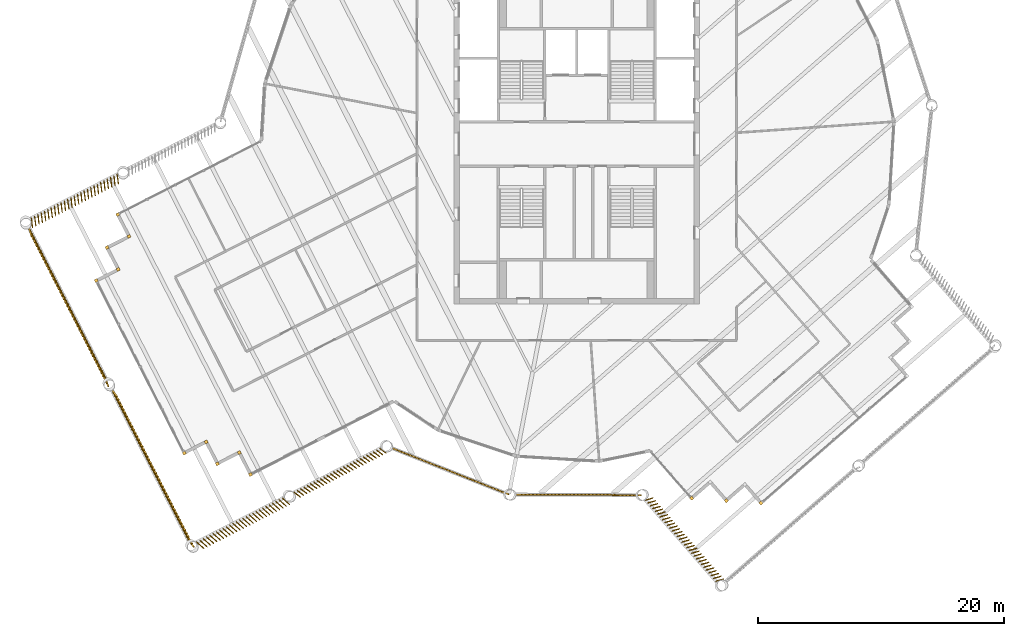
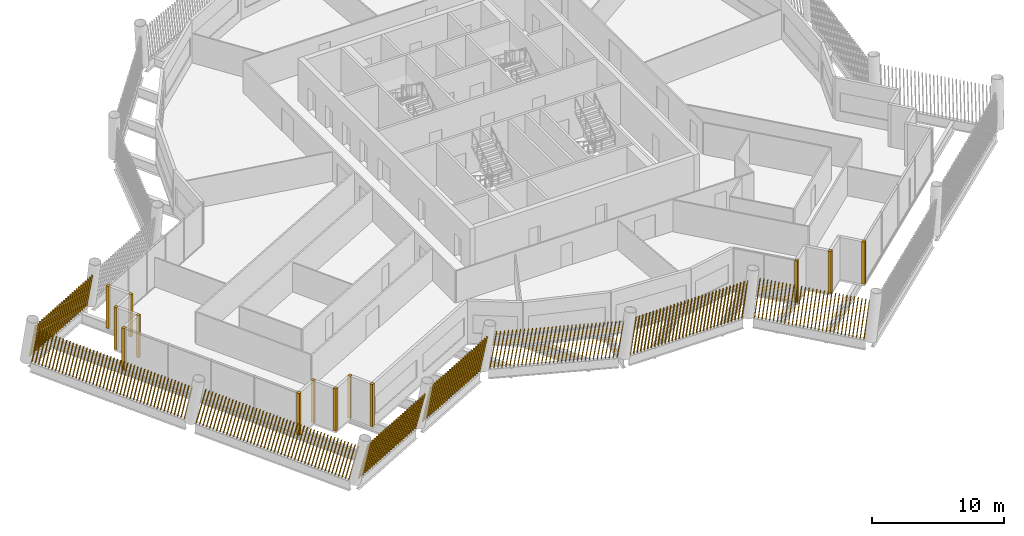
# One storey, part 25 of 28: 21 shading devices.
"""IFC4 building model written with IfcOpenShell, lengths in metres."""

from ifc_helpers import new_model, si_unit, direction, frame, frame_2d, origin, origin_2d, place, context, subcontext, project, spatial, rectangle, composite_profile, extrude, material, type_object, element, save


model = new_model("IFC4")

# Units and contexts
model_context = context("Model", 3, precision=1e-05, world=origin(), true_north=direction((0.0, 1.0)))
body_context = subcontext(model_context, "Body", "Model", "MODEL_VIEW")
ifc_project = project(units=[si_unit("LENGTHUNIT", "METRE"), si_unit("AREAUNIT", "SQUARE_METRE"), si_unit("VOLUMEUNIT", "CUBIC_METRE"), si_unit("PLANEANGLEUNIT", "RADIAN"), si_unit("MASSUNIT", "GRAM", prefix="KILO")], contexts=[model_context])

# Site, building, storey
site_placement = place(None, origin())
site = spatial("IfcSite", under=ifc_project, at=site_placement, CompositionType="ELEMENT")
building_placement = place(site_placement, origin())
building = spatial("IfcBuilding", under=site, at=building_placement, Name="Tarsis Ring Headquarters", CompositionType="ELEMENT")
storey_placement = place(building_placement, frame((0.0, 0.0, 394.39990234375)))
storey = spatial("IfcBuildingStorey", under=building, at=storey_placement, Name="L93", CompositionType="ELEMENT", Elevation=394.39990234375)

# Shading devices
ifc_material = material(Name="Terracotta baguette", Category="masonry")
shading_device_type_1 = type_object("IfcShadingDeviceType", Name="Terracotta baguette screen", PredefinedType="USERDEFINED", material=ifc_material)
shading_device_1_placement = place(storey_placement, frame((-5.022705078125, -28.52099609375, 0.0), z_axis=(0.0, 0.0, 1.0), x_axis=(1.0, -0.004797121727, 0.0)))
element("IfcShadingDevice", 1, at=shading_device_1_placement, inside=storey, type_object=shading_device_type_1, Name="Baguette screen L93-00", ObjectType="Terracotta baguette screen", PredefinedType="USERDEFINED", context=body_context, shape_type="SweptSolid", body=[
    extrude(composite_profile([rectangle(XDim=0.06005859375, YDim=0.1201171875, at=frame_2d((0.030029296875, 0.0))), rectangle(XDim=0.06005859375, YDim=0.1201171875, at=frame_2d((0.33349609375, 0.0))), rectangle(XDim=0.06005859375, YDim=0.1201171875, at=frame_2d((0.636962890625, 0.0))), rectangle(XDim=0.06005859375, YDim=0.1201171875, at=frame_2d((0.9404296875, 0.0))), rectangle(XDim=0.06005859375, YDim=0.1201171875, at=frame_2d((1.243896484375, 0.0))), rectangle(XDim=0.06005859375, YDim=0.1201171875, at=frame_2d((1.54736328125, 0.0))), rectangle(XDim=0.06005859375, YDim=0.1201171875, at=frame_2d((1.850830078125, 0.0))), rectangle(XDim=0.06005859375, YDim=0.1201171875, at=frame_2d((2.154296875, 0.0))), rectangle(XDim=0.06005859375, YDim=0.1201171875, at=frame_2d((2.4580078125, 0.0))), rectangle(XDim=0.06005859375, YDim=0.1201171875, at=frame_2d((2.761474609375, 0.0))), rectangle(XDim=0.06005859375, YDim=0.1201171875, at=frame_2d((3.06494140625, 0.0))), rectangle(XDim=0.06005859375, YDim=0.1201171875, at=frame_2d((3.368408203125, 0.0))), rectangle(XDim=0.06005859375, YDim=0.1201171875, at=frame_2d((3.671875, 0.0))), rectangle(XDim=0.06005859375, YDim=0.1201171875, at=frame_2d((3.975341796875, 0.0))), rectangle(XDim=0.06005859375, YDim=0.1201171875, at=frame_2d((4.27880859375, 0.0))), rectangle(XDim=0.06005859375, YDim=0.1201171875, at=frame_2d((4.582275390625, 0.0))), rectangle(XDim=0.06005859375, YDim=0.1201171875, at=frame_2d((4.8857421875, 0.0))), rectangle(XDim=0.06005859375, YDim=0.1201171875, at=frame_2d((5.189208984375, 0.0))), rectangle(XDim=0.06005859375, YDim=0.1201171875, at=frame_2d((5.49267578125, 0.0))), rectangle(XDim=0.06005859375, YDim=0.1201171875, at=frame_2d((5.796142578125, 0.0))), rectangle(XDim=0.06005859375, YDim=0.1201171875, at=frame_2d((6.099609375, 0.0))), rectangle(XDim=0.06005859375, YDim=0.1201171875, at=frame_2d((6.403076171875, 0.0))), rectangle(XDim=0.06005859375, YDim=0.1201171875, at=frame_2d((6.70654296875, 0.0))), rectangle(XDim=0.06005859375, YDim=0.1201171875, at=frame_2d((7.010009765625, 0.0))), rectangle(XDim=0.06005859375, YDim=0.1201171875, at=frame_2d((7.3134765625, 0.0))), rectangle(XDim=0.06005859375, YDim=0.1201171875, at=frame_2d((7.6171875, 0.0))), rectangle(XDim=0.06005859375, YDim=0.1201171875, at=frame_2d((7.920654296875, 0.0))), rectangle(XDim=0.06005859375, YDim=0.1201171875, at=frame_2d((8.22412109375, 0.0))), rectangle(XDim=0.06005859375, YDim=0.1201171875, at=frame_2d((8.527587890625, 0.0))), rectangle(XDim=0.06005859375, YDim=0.1201171875, at=frame_2d((8.8310546875, 0.0))), rectangle(XDim=0.06005859375, YDim=0.1201171875, at=frame_2d((9.134521484375, 0.0))), rectangle(XDim=0.06005859375, YDim=0.1201171875, at=frame_2d((9.43798828125, 0.0))), rectangle(XDim=0.06005859375, YDim=0.1201171875, at=frame_2d((9.741455078125, 0.0)))]), origin(), (0.155290469855, 0.001408856591, 0.987867847992), 3.33642578125),
])
shading_device_2_placement = place(storey_placement, frame((5.5771484375, -28.947509765625, 0.0), z_axis=(0.0, 0.0, 1.0), x_axis=(0.656573219089, -0.754263372432, 0.0)))
element("IfcShadingDevice", 2, at=shading_device_2_placement, inside=storey, type_object=shading_device_type_1, Name="Baguette screen L93-01", ObjectType="Terracotta baguette screen", PredefinedType="USERDEFINED", context=body_context, shape_type="SweptSolid", body=[
    extrude(composite_profile([rectangle(XDim=0.06005859375, YDim=0.1201171875, at=frame_2d((0.030029296875, 0.0))), rectangle(XDim=0.06005859375, YDim=0.1201171875, at=frame_2d((0.33154296875, 0.0))), rectangle(XDim=0.06005859375, YDim=0.1201171875, at=frame_2d((0.633056640625, 0.0))), rectangle(XDim=0.06005859375, YDim=0.1201171875, at=frame_2d((0.9345703125, 0.0))), rectangle(XDim=0.06005859375, YDim=0.1201171875, at=frame_2d((1.236083984375, 0.0))), rectangle(XDim=0.06005859375, YDim=0.1201171875, at=frame_2d((1.53759765625, 0.0))), rectangle(XDim=0.06005859375, YDim=0.1201171875, at=frame_2d((1.839111328125, 0.0))), rectangle(XDim=0.06005859375, YDim=0.1201171875, at=frame_2d((2.140625, 0.0))), rectangle(XDim=0.06005859375, YDim=0.1201171875, at=frame_2d((2.442138671875, 0.0))), rectangle(XDim=0.06005859375, YDim=0.1201171875, at=frame_2d((2.74365234375, 0.0))), rectangle(XDim=0.06005859375, YDim=0.1201171875, at=frame_2d((3.045166015625, 0.0))), rectangle(XDim=0.06005859375, YDim=0.1201171875, at=frame_2d((3.3466796875, 0.0))), rectangle(XDim=0.06005859375, YDim=0.1201171875, at=frame_2d((3.648193359375, 0.0))), rectangle(XDim=0.06005859375, YDim=0.1201171875, at=frame_2d((3.94970703125, 0.0))), rectangle(XDim=0.06005859375, YDim=0.1201171875, at=frame_2d((4.251220703125, 0.0))), rectangle(XDim=0.06005859375, YDim=0.1201171875, at=frame_2d((4.552978515625, 0.0))), rectangle(XDim=0.06005859375, YDim=0.1201171875, at=frame_2d((4.8544921875, 0.0))), rectangle(XDim=0.06005859375, YDim=0.1201171875, at=frame_2d((5.156005859375, 0.0))), rectangle(XDim=0.06005859375, YDim=0.1201171875, at=frame_2d((5.45751953125, 0.0))), rectangle(XDim=0.06005859375, YDim=0.1201171875, at=frame_2d((5.759033203125, 0.0))), rectangle(XDim=0.06005859375, YDim=0.1201171875, at=frame_2d((6.060546875, 0.0))), rectangle(XDim=0.06005859375, YDim=0.1201171875, at=frame_2d((6.362060546875, 0.0))), rectangle(XDim=0.06005859375, YDim=0.1201171875, at=frame_2d((6.66357421875, 0.0))), rectangle(XDim=0.06005859375, YDim=0.1201171875, at=frame_2d((6.965087890625, 0.0))), rectangle(XDim=0.06005859375, YDim=0.1201171875, at=frame_2d((7.2666015625, 0.0))), rectangle(XDim=0.06005859375, YDim=0.1201171875, at=frame_2d((7.568115234375, 0.0))), rectangle(XDim=0.06005859375, YDim=0.1201171875, at=frame_2d((7.86962890625, 0.0))), rectangle(XDim=0.06005859375, YDim=0.1201171875, at=frame_2d((8.171142578125, 0.0))), rectangle(XDim=0.06005859375, YDim=0.1201171875, at=frame_2d((8.47265625, 0.0))), rectangle(XDim=0.06005859375, YDim=0.1201171875, at=frame_2d((8.774169921875, 0.0)))]), origin(), (0.078688976616, 0.162664923524, 0.983538594878), 3.35107421875),
])
shading_device_3_placement = place(storey_placement, frame((-37.365966796875, -2.45556640625, 0.0), z_axis=(0.0, 0.0, 1.0), x_axis=(-0.890694513099, -0.454584775087, 0.0)))
element("IfcShadingDevice", 3, at=shading_device_3_placement, inside=storey, type_object=shading_device_type_1, Name="Baguette screen L93-14", ObjectType="Terracotta baguette screen", PredefinedType="USERDEFINED", context=body_context, shape_type="SweptSolid", body=[
    extrude(composite_profile([rectangle(XDim=0.06005859375, YDim=0.1201171875, at=frame_2d((0.030029296875, 0.0))), rectangle(XDim=0.06005859375, YDim=0.1201171875, at=frame_2d((0.33154296875, 0.0))), rectangle(XDim=0.06005859375, YDim=0.1201171875, at=frame_2d((0.63330078125, 0.0))), rectangle(XDim=0.06005859375, YDim=0.1201171875, at=frame_2d((0.934814453125, 0.0))), rectangle(XDim=0.06005859375, YDim=0.1201171875, at=frame_2d((1.236572265625, 0.0))), rectangle(XDim=0.06005859375, YDim=0.1201171875, at=frame_2d((1.5380859375, 0.0))), rectangle(XDim=0.06005859375, YDim=0.1201171875, at=frame_2d((1.83984375, 0.0))), rectangle(XDim=0.06005859375, YDim=0.1201171875, at=frame_2d((2.141357421875, 0.0))), rectangle(XDim=0.06005859375, YDim=0.1201171875, at=frame_2d((2.443115234375, 0.0))), rectangle(XDim=0.06005859375, YDim=0.1201171875, at=frame_2d((2.74462890625, 0.0))), rectangle(XDim=0.06005859375, YDim=0.1201171875, at=frame_2d((3.04638671875, 0.0))), rectangle(XDim=0.06005859375, YDim=0.1201171875, at=frame_2d((3.347900390625, 0.0))), rectangle(XDim=0.06005859375, YDim=0.1201171875, at=frame_2d((3.649658203125, 0.0))), rectangle(XDim=0.06005859375, YDim=0.1201171875, at=frame_2d((3.951171875, 0.0))), rectangle(XDim=0.06005859375, YDim=0.1201171875, at=frame_2d((4.252685546875, 0.0))), rectangle(XDim=0.06005859375, YDim=0.1201171875, at=frame_2d((4.554443359375, 0.0))), rectangle(XDim=0.06005859375, YDim=0.1201171875, at=frame_2d((4.85595703125, 0.0))), rectangle(XDim=0.06005859375, YDim=0.1201171875, at=frame_2d((5.15771484375, 0.0))), rectangle(XDim=0.06005859375, YDim=0.1201171875, at=frame_2d((5.459228515625, 0.0))), rectangle(XDim=0.06005859375, YDim=0.1201171875, at=frame_2d((5.760986328125, 0.0))), rectangle(XDim=0.06005859375, YDim=0.1201171875, at=frame_2d((6.0625, 0.0))), rectangle(XDim=0.06005859375, YDim=0.1201171875, at=frame_2d((6.3642578125, 0.0))), rectangle(XDim=0.06005859375, YDim=0.1201171875, at=frame_2d((6.665771484375, 0.0))), rectangle(XDim=0.06005859375, YDim=0.1201171875, at=frame_2d((6.967529296875, 0.0))), rectangle(XDim=0.06005859375, YDim=0.1201171875, at=frame_2d((7.26904296875, 0.0))), rectangle(XDim=0.06005859375, YDim=0.1201171875, at=frame_2d((7.57080078125, 0.0))), rectangle(XDim=0.06005859375, YDim=0.1201171875, at=frame_2d((7.872314453125, 0.0)))]), origin(), (0.077616128867, 0.206696354945, 0.975321666627), 3.37939453125),
])
shading_device_4_placement = place(storey_placement, frame((-44.62255859375, -6.720458984375, 0.0), z_axis=(0.0, 0.0, 1.0), x_axis=(0.454613003096, -0.890685537373, 0.0)))
element("IfcShadingDevice", 4, at=shading_device_4_placement, inside=storey, type_object=shading_device_type_1, Name="Baguette screen L93-15", ObjectType="Terracotta baguette screen", PredefinedType="USERDEFINED", context=body_context, shape_type="SweptSolid", body=[
    extrude(composite_profile([rectangle(XDim=0.06005859375, YDim=0.1201171875, at=frame_2d((0.030029296875, 0.0))), rectangle(XDim=0.06005859375, YDim=0.1201171875, at=frame_2d((0.33544921875, 0.0))), rectangle(XDim=0.06005859375, YDim=0.1201171875, at=frame_2d((0.640625, 0.0))), rectangle(XDim=0.06005859375, YDim=0.1201171875, at=frame_2d((0.946044921875, 0.0))), rectangle(XDim=0.06005859375, YDim=0.1201171875, at=frame_2d((1.25146484375, 0.0))), rectangle(XDim=0.06005859375, YDim=0.1201171875, at=frame_2d((1.556640625, 0.0))), rectangle(XDim=0.06005859375, YDim=0.1201171875, at=frame_2d((1.862060546875, 0.0))), rectangle(XDim=0.06005859375, YDim=0.1201171875, at=frame_2d((2.16748046875, 0.0))), rectangle(XDim=0.06005859375, YDim=0.1201171875, at=frame_2d((2.47265625, 0.0))), rectangle(XDim=0.06005859375, YDim=0.1201171875, at=frame_2d((2.778076171875, 0.0))), rectangle(XDim=0.06005859375, YDim=0.1201171875, at=frame_2d((3.08349609375, 0.0))), rectangle(XDim=0.06005859375, YDim=0.1201171875, at=frame_2d((3.388671875, 0.0))), rectangle(XDim=0.06005859375, YDim=0.1201171875, at=frame_2d((3.694091796875, 0.0))), rectangle(XDim=0.06005859375, YDim=0.1201171875, at=frame_2d((3.99951171875, 0.0))), rectangle(XDim=0.06005859375, YDim=0.1201171875, at=frame_2d((4.3046875, 0.0))), rectangle(XDim=0.06005859375, YDim=0.1201171875, at=frame_2d((4.610107421875, 0.0))), rectangle(XDim=0.06005859375, YDim=0.1201171875, at=frame_2d((4.91552734375, 0.0))), rectangle(XDim=0.06005859375, YDim=0.1201171875, at=frame_2d((5.220703125, 0.0))), rectangle(XDim=0.06005859375, YDim=0.1201171875, at=frame_2d((5.526123046875, 0.0))), rectangle(XDim=0.06005859375, YDim=0.1201171875, at=frame_2d((5.83154296875, 0.0))), rectangle(XDim=0.06005859375, YDim=0.1201171875, at=frame_2d((6.13671875, 0.0))), rectangle(XDim=0.06005859375, YDim=0.1201171875, at=frame_2d((6.442138671875, 0.0))), rectangle(XDim=0.06005859375, YDim=0.1201171875, at=frame_2d((6.74755859375, 0.0))), rectangle(XDim=0.06005859375, YDim=0.1201171875, at=frame_2d((7.052734375, 0.0))), rectangle(XDim=0.06005859375, YDim=0.1201171875, at=frame_2d((7.358154296875, 0.0))), rectangle(XDim=0.06005859375, YDim=0.1201171875, at=frame_2d((7.66357421875, 0.0))), rectangle(XDim=0.06005859375, YDim=0.1201171875, at=frame_2d((7.96875, 0.0))), rectangle(XDim=0.06005859375, YDim=0.1201171875, at=frame_2d((8.274169921875, 0.0))), rectangle(XDim=0.06005859375, YDim=0.1201171875, at=frame_2d((8.57958984375, 0.0))), rectangle(XDim=0.06005859375, YDim=0.1201171875, at=frame_2d((8.884765625, 0.0))), rectangle(XDim=0.06005859375, YDim=0.1201171875, at=frame_2d((9.190185546875, 0.0))), rectangle(XDim=0.06005859375, YDim=0.1201171875, at=frame_2d((9.49560546875, 0.0))), rectangle(XDim=0.06005859375, YDim=0.1201171875, at=frame_2d((9.80078125, 0.0))), rectangle(XDim=0.06005859375, YDim=0.1201171875, at=frame_2d((10.106201171875, 0.0))), rectangle(XDim=0.06005859375, YDim=0.1201171875, at=frame_2d((10.41162109375, 0.0))), rectangle(XDim=0.06005859375, YDim=0.1201171875, at=frame_2d((10.716796875, 0.0))), rectangle(XDim=0.06005859375, YDim=0.1201171875, at=frame_2d((11.022216796875, 0.0))), rectangle(XDim=0.06005859375, YDim=0.1201171875, at=frame_2d((11.32763671875, 0.0))), rectangle(XDim=0.06005859375, YDim=0.1201171875, at=frame_2d((11.6328125, 0.0))), rectangle(XDim=0.06005859375, YDim=0.1201171875, at=frame_2d((11.938232421875, 0.0))), rectangle(XDim=0.06005859375, YDim=0.1201171875, at=frame_2d((12.24365234375, 0.0))), rectangle(XDim=0.06005859375, YDim=0.1201171875, at=frame_2d((12.548828125, 0.0))), rectangle(XDim=0.06005859375, YDim=0.1201171875, at=frame_2d((12.854248046875, 0.0))), rectangle(XDim=0.06005859375, YDim=0.1201171875, at=frame_2d((13.15966796875, 0.0))), rectangle(XDim=0.06005859375, YDim=0.1201171875, at=frame_2d((13.46484375, 0.0))), rectangle(XDim=0.06005859375, YDim=0.1201171875, at=frame_2d((13.770263671875, 0.0)))]), origin(), (0.229590544773, -0.037553472016, 0.972562552482), 3.388916015625),
])
shading_device_5_placement = place(storey_placement, frame((-37.894287109375, -19.90283203125, 0.0), z_axis=(0.0, 0.0, 1.0), x_axis=(0.454613003096, -0.890685537373, 0.0)))
element("IfcShadingDevice", 5, at=shading_device_5_placement, inside=storey, type_object=shading_device_type_1, Name="Baguette screen L93-16", ObjectType="Terracotta baguette screen", PredefinedType="USERDEFINED", context=body_context, shape_type="SweptSolid", body=[
    extrude(composite_profile([rectangle(XDim=0.06005859375, YDim=0.1201171875, at=frame_2d((0.030029296875, 0.0))), rectangle(XDim=0.06005859375, YDim=0.1201171875, at=frame_2d((0.33544921875, 0.0))), rectangle(XDim=0.06005859375, YDim=0.1201171875, at=frame_2d((0.640625, 0.0))), rectangle(XDim=0.06005859375, YDim=0.1201171875, at=frame_2d((0.946044921875, 0.0))), rectangle(XDim=0.06005859375, YDim=0.1201171875, at=frame_2d((1.25146484375, 0.0))), rectangle(XDim=0.06005859375, YDim=0.1201171875, at=frame_2d((1.556640625, 0.0))), rectangle(XDim=0.06005859375, YDim=0.1201171875, at=frame_2d((1.862060546875, 0.0))), rectangle(XDim=0.06005859375, YDim=0.1201171875, at=frame_2d((2.16748046875, 0.0))), rectangle(XDim=0.06005859375, YDim=0.1201171875, at=frame_2d((2.47265625, 0.0))), rectangle(XDim=0.06005859375, YDim=0.1201171875, at=frame_2d((2.778076171875, 0.0))), rectangle(XDim=0.06005859375, YDim=0.1201171875, at=frame_2d((3.08349609375, 0.0))), rectangle(XDim=0.06005859375, YDim=0.1201171875, at=frame_2d((3.388671875, 0.0))), rectangle(XDim=0.06005859375, YDim=0.1201171875, at=frame_2d((3.694091796875, 0.0))), rectangle(XDim=0.06005859375, YDim=0.1201171875, at=frame_2d((3.99951171875, 0.0))), rectangle(XDim=0.06005859375, YDim=0.1201171875, at=frame_2d((4.3046875, 0.0))), rectangle(XDim=0.06005859375, YDim=0.1201171875, at=frame_2d((4.610107421875, 0.0))), rectangle(XDim=0.06005859375, YDim=0.1201171875, at=frame_2d((4.91552734375, 0.0))), rectangle(XDim=0.06005859375, YDim=0.1201171875, at=frame_2d((5.220703125, 0.0))), rectangle(XDim=0.06005859375, YDim=0.1201171875, at=frame_2d((5.526123046875, 0.0))), rectangle(XDim=0.06005859375, YDim=0.1201171875, at=frame_2d((5.83154296875, 0.0))), rectangle(XDim=0.06005859375, YDim=0.1201171875, at=frame_2d((6.13671875, 0.0))), rectangle(XDim=0.06005859375, YDim=0.1201171875, at=frame_2d((6.442138671875, 0.0))), rectangle(XDim=0.06005859375, YDim=0.1201171875, at=frame_2d((6.74755859375, 0.0))), rectangle(XDim=0.06005859375, YDim=0.1201171875, at=frame_2d((7.052734375, 0.0))), rectangle(XDim=0.06005859375, YDim=0.1201171875, at=frame_2d((7.358154296875, 0.0))), rectangle(XDim=0.06005859375, YDim=0.1201171875, at=frame_2d((7.66357421875, 0.0))), rectangle(XDim=0.06005859375, YDim=0.1201171875, at=frame_2d((7.96875, 0.0))), rectangle(XDim=0.06005859375, YDim=0.1201171875, at=frame_2d((8.274169921875, 0.0))), rectangle(XDim=0.06005859375, YDim=0.1201171875, at=frame_2d((8.57958984375, 0.0))), rectangle(XDim=0.06005859375, YDim=0.1201171875, at=frame_2d((8.884765625, 0.0))), rectangle(XDim=0.06005859375, YDim=0.1201171875, at=frame_2d((9.190185546875, 0.0))), rectangle(XDim=0.06005859375, YDim=0.1201171875, at=frame_2d((9.49560546875, 0.0))), rectangle(XDim=0.06005859375, YDim=0.1201171875, at=frame_2d((9.80078125, 0.0))), rectangle(XDim=0.06005859375, YDim=0.1201171875, at=frame_2d((10.106201171875, 0.0))), rectangle(XDim=0.06005859375, YDim=0.1201171875, at=frame_2d((10.41162109375, 0.0))), rectangle(XDim=0.06005859375, YDim=0.1201171875, at=frame_2d((10.716796875, 0.0))), rectangle(XDim=0.06005859375, YDim=0.1201171875, at=frame_2d((11.022216796875, 0.0))), rectangle(XDim=0.06005859375, YDim=0.1201171875, at=frame_2d((11.32763671875, 0.0))), rectangle(XDim=0.06005859375, YDim=0.1201171875, at=frame_2d((11.6328125, 0.0))), rectangle(XDim=0.06005859375, YDim=0.1201171875, at=frame_2d((11.938232421875, 0.0))), rectangle(XDim=0.06005859375, YDim=0.1201171875, at=frame_2d((12.24365234375, 0.0))), rectangle(XDim=0.06005859375, YDim=0.1201171875, at=frame_2d((12.548828125, 0.0))), rectangle(XDim=0.06005859375, YDim=0.1201171875, at=frame_2d((12.854248046875, 0.0))), rectangle(XDim=0.06005859375, YDim=0.1201171875, at=frame_2d((13.15966796875, 0.0))), rectangle(XDim=0.06005859375, YDim=0.1201171875, at=frame_2d((13.46484375, 0.0))), rectangle(XDim=0.06005859375, YDim=0.1201171875, at=frame_2d((13.770263671875, 0.0)))]), origin(), (0.228871123125, 0.041713274246, 0.972562600428), 3.388916015625),
])
shading_device_6_placement = place(storey_placement, frame((-30.947998046875, -32.412353515625, 0.0), z_axis=(0.0, 0.0, 1.0), x_axis=(0.890694513099, 0.454615669797, 0.0)))
element("IfcShadingDevice", 6, at=shading_device_6_placement, inside=storey, type_object=shading_device_type_1, Name="Baguette screen L93-17", ObjectType="Terracotta baguette screen", PredefinedType="USERDEFINED", context=body_context, shape_type="SweptSolid", body=[
    extrude(composite_profile([rectangle(XDim=0.06005859375, YDim=0.1201171875, at=frame_2d((0.030029296875, 0.0))), rectangle(XDim=0.06005859375, YDim=0.1201171875, at=frame_2d((0.33154296875, 0.0))), rectangle(XDim=0.06005859375, YDim=0.1201171875, at=frame_2d((0.63330078125, 0.0))), rectangle(XDim=0.06005859375, YDim=0.1201171875, at=frame_2d((0.934814453125, 0.0))), rectangle(XDim=0.06005859375, YDim=0.1201171875, at=frame_2d((1.236572265625, 0.0))), rectangle(XDim=0.06005859375, YDim=0.1201171875, at=frame_2d((1.5380859375, 0.0))), rectangle(XDim=0.06005859375, YDim=0.1201171875, at=frame_2d((1.83984375, 0.0))), rectangle(XDim=0.06005859375, YDim=0.1201171875, at=frame_2d((2.141357421875, 0.0))), rectangle(XDim=0.06005859375, YDim=0.1201171875, at=frame_2d((2.443115234375, 0.0))), rectangle(XDim=0.06005859375, YDim=0.1201171875, at=frame_2d((2.74462890625, 0.0))), rectangle(XDim=0.06005859375, YDim=0.1201171875, at=frame_2d((3.04638671875, 0.0))), rectangle(XDim=0.06005859375, YDim=0.1201171875, at=frame_2d((3.347900390625, 0.0))), rectangle(XDim=0.06005859375, YDim=0.1201171875, at=frame_2d((3.649658203125, 0.0))), rectangle(XDim=0.06005859375, YDim=0.1201171875, at=frame_2d((3.951171875, 0.0))), rectangle(XDim=0.06005859375, YDim=0.1201171875, at=frame_2d((4.252685546875, 0.0))), rectangle(XDim=0.06005859375, YDim=0.1201171875, at=frame_2d((4.554443359375, 0.0))), rectangle(XDim=0.06005859375, YDim=0.1201171875, at=frame_2d((4.85595703125, 0.0))), rectangle(XDim=0.06005859375, YDim=0.1201171875, at=frame_2d((5.15771484375, 0.0))), rectangle(XDim=0.06005859375, YDim=0.1201171875, at=frame_2d((5.459228515625, 0.0))), rectangle(XDim=0.06005859375, YDim=0.1201171875, at=frame_2d((5.760986328125, 0.0))), rectangle(XDim=0.06005859375, YDim=0.1201171875, at=frame_2d((6.0625, 0.0))), rectangle(XDim=0.06005859375, YDim=0.1201171875, at=frame_2d((6.3642578125, 0.0))), rectangle(XDim=0.06005859375, YDim=0.1201171875, at=frame_2d((6.665771484375, 0.0))), rectangle(XDim=0.06005859375, YDim=0.1201171875, at=frame_2d((6.967529296875, 0.0))), rectangle(XDim=0.06005859375, YDim=0.1201171875, at=frame_2d((7.26904296875, 0.0))), rectangle(XDim=0.06005859375, YDim=0.1201171875, at=frame_2d((7.57080078125, 0.0))), rectangle(XDim=0.06005859375, YDim=0.1201171875, at=frame_2d((7.872314453125, 0.0)))]), origin(), (0.081361467773, -0.205254270482, 0.975320970763), 3.37939453125),
])
shading_device_7_placement = place(storey_placement, frame((-23.018798828125, -28.365234375, 0.0), z_axis=(0.0, 0.0, 1.0), x_axis=(0.890694513099, 0.454615669797, 0.0)))
element("IfcShadingDevice", 7, at=shading_device_7_placement, inside=storey, type_object=shading_device_type_1, Name="Baguette screen L93-18", ObjectType="Terracotta baguette screen", PredefinedType="USERDEFINED", context=body_context, shape_type="SweptSolid", body=[
    extrude(composite_profile([rectangle(XDim=0.06005859375, YDim=0.1201171875, at=frame_2d((0.030029296875, 0.0))), rectangle(XDim=0.06005859375, YDim=0.1201171875, at=frame_2d((0.33154296875, 0.0))), rectangle(XDim=0.06005859375, YDim=0.1201171875, at=frame_2d((0.63330078125, 0.0))), rectangle(XDim=0.06005859375, YDim=0.1201171875, at=frame_2d((0.934814453125, 0.0))), rectangle(XDim=0.06005859375, YDim=0.1201171875, at=frame_2d((1.236572265625, 0.0))), rectangle(XDim=0.06005859375, YDim=0.1201171875, at=frame_2d((1.5380859375, 0.0))), rectangle(XDim=0.06005859375, YDim=0.1201171875, at=frame_2d((1.83984375, 0.0))), rectangle(XDim=0.06005859375, YDim=0.1201171875, at=frame_2d((2.141357421875, 0.0))), rectangle(XDim=0.06005859375, YDim=0.1201171875, at=frame_2d((2.443115234375, 0.0))), rectangle(XDim=0.06005859375, YDim=0.1201171875, at=frame_2d((2.74462890625, 0.0))), rectangle(XDim=0.06005859375, YDim=0.1201171875, at=frame_2d((3.04638671875, 0.0))), rectangle(XDim=0.06005859375, YDim=0.1201171875, at=frame_2d((3.347900390625, 0.0))), rectangle(XDim=0.06005859375, YDim=0.1201171875, at=frame_2d((3.649658203125, 0.0))), rectangle(XDim=0.06005859375, YDim=0.1201171875, at=frame_2d((3.951171875, 0.0))), rectangle(XDim=0.06005859375, YDim=0.1201171875, at=frame_2d((4.252685546875, 0.0))), rectangle(XDim=0.06005859375, YDim=0.1201171875, at=frame_2d((4.554443359375, 0.0))), rectangle(XDim=0.06005859375, YDim=0.1201171875, at=frame_2d((4.85595703125, 0.0))), rectangle(XDim=0.06005859375, YDim=0.1201171875, at=frame_2d((5.15771484375, 0.0))), rectangle(XDim=0.06005859375, YDim=0.1201171875, at=frame_2d((5.459228515625, 0.0))), rectangle(XDim=0.06005859375, YDim=0.1201171875, at=frame_2d((5.760986328125, 0.0))), rectangle(XDim=0.06005859375, YDim=0.1201171875, at=frame_2d((6.0625, 0.0))), rectangle(XDim=0.06005859375, YDim=0.1201171875, at=frame_2d((6.3642578125, 0.0))), rectangle(XDim=0.06005859375, YDim=0.1201171875, at=frame_2d((6.665771484375, 0.0))), rectangle(XDim=0.06005859375, YDim=0.1201171875, at=frame_2d((6.967529296875, 0.0))), rectangle(XDim=0.06005859375, YDim=0.1201171875, at=frame_2d((7.26904296875, 0.0))), rectangle(XDim=0.06005859375, YDim=0.1201171875, at=frame_2d((7.57080078125, 0.0))), rectangle(XDim=0.06005859375, YDim=0.1201171875, at=frame_2d((7.872314453125, 0.0)))]), origin(), (0.0816415798, -0.15882820352, 0.983924923058), 3.349853515625),
])
shading_device_8_placement = place(storey_placement, frame((-15.0703125, -24.72998046875, 0.0), z_axis=(0.0, 0.0, 1.0), x_axis=(0.929494066209, -0.368844472205, 0.0)))
element("IfcShadingDevice", 8, at=shading_device_8_placement, inside=storey, type_object=shading_device_type_1, Name="Baguette screen L93-19", ObjectType="Terracotta baguette screen", PredefinedType="USERDEFINED", context=body_context, shape_type="SweptSolid", body=[
    extrude(composite_profile([rectangle(XDim=0.06005859375, YDim=0.1201171875, at=frame_2d((0.030029296875, 0.0))), rectangle(XDim=0.06005859375, YDim=0.1201171875, at=frame_2d((0.33349609375, 0.0))), rectangle(XDim=0.06005859375, YDim=0.1201171875, at=frame_2d((0.636962890625, 0.0))), rectangle(XDim=0.06005859375, YDim=0.1201171875, at=frame_2d((0.9404296875, 0.0))), rectangle(XDim=0.06005859375, YDim=0.1201171875, at=frame_2d((1.243896484375, 0.0))), rectangle(XDim=0.06005859375, YDim=0.1201171875, at=frame_2d((1.54736328125, 0.0))), rectangle(XDim=0.06005859375, YDim=0.1201171875, at=frame_2d((1.85107421875, 0.0))), rectangle(XDim=0.06005859375, YDim=0.1201171875, at=frame_2d((2.154541015625, 0.0))), rectangle(XDim=0.06005859375, YDim=0.1201171875, at=frame_2d((2.4580078125, 0.0))), rectangle(XDim=0.06005859375, YDim=0.1201171875, at=frame_2d((2.761474609375, 0.0))), rectangle(XDim=0.06005859375, YDim=0.1201171875, at=frame_2d((3.06494140625, 0.0))), rectangle(XDim=0.06005859375, YDim=0.1201171875, at=frame_2d((3.368408203125, 0.0))), rectangle(XDim=0.06005859375, YDim=0.1201171875, at=frame_2d((3.671875, 0.0))), rectangle(XDim=0.06005859375, YDim=0.1201171875, at=frame_2d((3.975341796875, 0.0))), rectangle(XDim=0.06005859375, YDim=0.1201171875, at=frame_2d((4.27880859375, 0.0))), rectangle(XDim=0.06005859375, YDim=0.1201171875, at=frame_2d((4.582275390625, 0.0))), rectangle(XDim=0.06005859375, YDim=0.1201171875, at=frame_2d((4.8857421875, 0.0))), rectangle(XDim=0.06005859375, YDim=0.1201171875, at=frame_2d((5.189453125, 0.0))), rectangle(XDim=0.06005859375, YDim=0.1201171875, at=frame_2d((5.492919921875, 0.0))), rectangle(XDim=0.06005859375, YDim=0.1201171875, at=frame_2d((5.79638671875, 0.0))), rectangle(XDim=0.06005859375, YDim=0.1201171875, at=frame_2d((6.099853515625, 0.0))), rectangle(XDim=0.06005859375, YDim=0.1201171875, at=frame_2d((6.4033203125, 0.0))), rectangle(XDim=0.06005859375, YDim=0.1201171875, at=frame_2d((6.706787109375, 0.0))), rectangle(XDim=0.06005859375, YDim=0.1201171875, at=frame_2d((7.01025390625, 0.0))), rectangle(XDim=0.06005859375, YDim=0.1201171875, at=frame_2d((7.313720703125, 0.0))), rectangle(XDim=0.06005859375, YDim=0.1201171875, at=frame_2d((7.6171875, 0.0))), rectangle(XDim=0.06005859375, YDim=0.1201171875, at=frame_2d((7.920654296875, 0.0))), rectangle(XDim=0.06005859375, YDim=0.1201171875, at=frame_2d((8.224365234375, 0.0))), rectangle(XDim=0.06005859375, YDim=0.1201171875, at=frame_2d((8.52783203125, 0.0))), rectangle(XDim=0.06005859375, YDim=0.1201171875, at=frame_2d((8.831298828125, 0.0))), rectangle(XDim=0.06005859375, YDim=0.1201171875, at=frame_2d((9.134765625, 0.0))), rectangle(XDim=0.06005859375, YDim=0.1201171875, at=frame_2d((9.438232421875, 0.0))), rectangle(XDim=0.06005859375, YDim=0.1201171875, at=frame_2d((9.74169921875, 0.0)))]), origin(), (0.155289104483, 0.001407642818, 0.987868064354), 3.33642578125),
])
shading_device_type_2 = type_object("IfcShadingDeviceType", Name="Terracotta corner baguette 250x250", PredefinedType="USERDEFINED", material=ifc_material)
for number, where, z_axis, x_axis, name in (
    (9, (-26.554931640625, -26.88623046875, 0.000244140625), (0.0, 0.0, 1.0), (0.454612428954, -0.890689361922, 0.0), "Corner baguette L93-01"),
    (10, (9.345703125, -28.82177734375, 0.000244140625), (0.0, 0.0, 1.0), (0.656585768917, -0.754251369277, 0.0), "Corner baguette L93-07"),
    (11, (12.167236328125, -29.01708984375, 0.000244140625), (0.0, 0.0, 1.0), (0.656585834738, -0.754251311979, 0.0), "Corner baguette L93-09"),
    (12, (14.989013671875, -29.21240234375, 0.000244140625), (0.0, 0.0, 1.0), (0.656585545126, -0.754251564089, 0.0), "Corner baguette L93-11"),
    (13, (-37.35205078125, -5.732177734375, 0.000244140625), (0.0, 0.0, 1.0), (-0.890689346053, -0.454612460045, 0.0), "Corner baguette L93-32"),
    (14, (-36.44287109375, -7.513671875, 0.000244140625), (0.0, 0.0, 1.0), (0.454612040318, -0.890689560284, 0.0), "Corner baguette L93-33"),
    (15, (-38.22412109375, -8.4228515625, 0.000244140625), (0.0, 0.0, 1.0), (-0.890689258773, -0.454612631045, 0.0), "Corner baguette L93-34"),
    (16, (-37.31494140625, -10.204345703125, 0.000244140625), (0.0, 0.0, 1.0), (0.454612631045, -0.890689258773, 0.0), "Corner baguette L93-35"),
    (17, (-39.09619140625, -11.113525390625, 0.000244140625), (0.0, 0.0, 1.0), (-0.890689361922, -0.454612428954, 0.0), "Corner baguette L93-36"),
    (18, (-31.936279296875, -25.141845703125, 0.000244140625), (0.0, 0.0, 1.0), (0.454612428954, -0.890689361922, 0.0), "Corner baguette L93-37"),
    (19, (-30.15478515625, -24.232666015625, 0.000244140625), (0.0, 0.0, 1.0), (0.890689361922, 0.454612428954, 0.0), "Corner baguette L93-38"),
    (20, (-29.24560546875, -26.013916015625, 0.000244140625), (0.0, 0.0, 1.0), (0.454612040318, -0.890689560284, 0.0), "Corner baguette L93-39"),
    (21, (-27.464111328125, -25.104736328125, 0.000244140625), (0.0, 0.0, 1.0), (0.89068946507, 0.454612226863, 0.0), "Corner baguette L93-40"),
):
    element("IfcShadingDevice", number, at=place(storey_placement, frame(where, z_axis=z_axis, x_axis=x_axis)), inside=storey, type_object=shading_device_type_2, Name=name, ObjectType="Terracotta corner baguette", PredefinedType="USERDEFINED", context=body_context, shape_type="SweptSolid", body=[
        extrude(rectangle(XDim=0.25, YDim=0.25, at=origin_2d()), origin(), (0.0, 0.0, 1.0), 3.89990234375),
    ])

save(model, "model.ifc")
